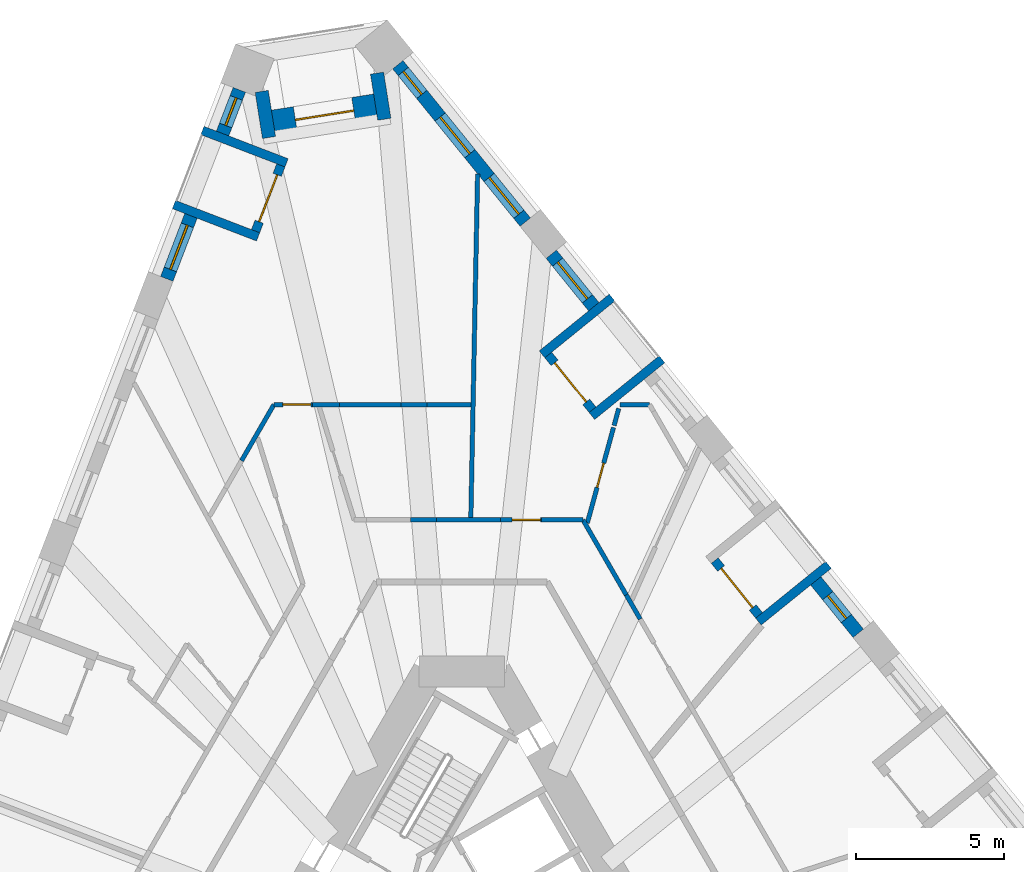
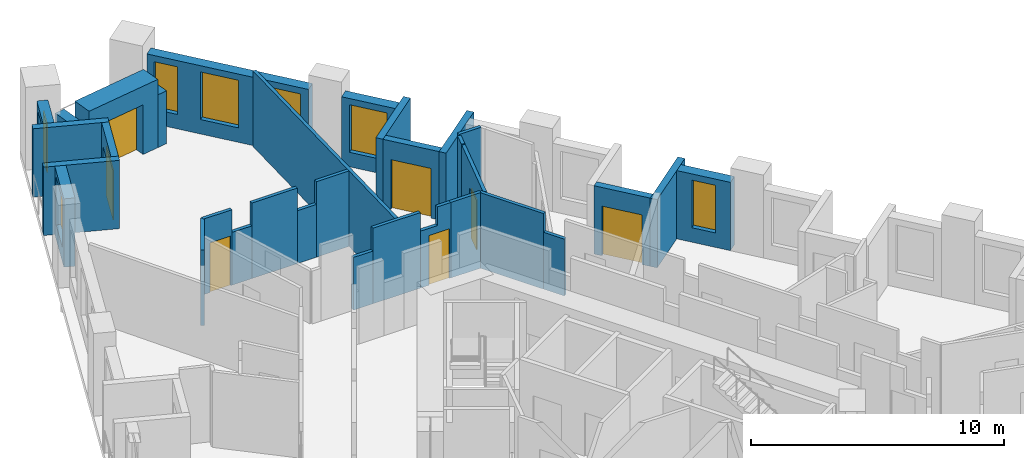
# One storey, part 9 of 14: 32 walls, 7 doors, 7 windows, 14 openings.
"""IFC4 building model written with IfcOpenShell, lengths in metres."""

from ifc_helpers import new_model, si_unit, direction, frame, frame_2d, origin, place, context, subcontext, project, spatial, polyline, rectangle, outline, extrude, material, layer, layer_set, type_object, element, fill, save


model = new_model("IFC4")

# Units and contexts
model_context = context("Model", 3, precision=1e-05, world=origin(), true_north=direction((0.0, 1.0)))
body_context = subcontext(model_context, "Body", "Model", "MODEL_VIEW")
ifc_project = project(units=[si_unit("LENGTHUNIT", "METRE"), si_unit("AREAUNIT", "SQUARE_METRE"), si_unit("VOLUMEUNIT", "CUBIC_METRE"), si_unit("PLANEANGLEUNIT", "RADIAN"), si_unit("MASSUNIT", "GRAM", prefix="KILO")], contexts=[model_context])

# Site, building, storey
site_placement = place(None, origin())
site = spatial("IfcSite", under=ifc_project, at=site_placement, CompositionType="ELEMENT")
building_placement = place(site_placement, origin())
building = spatial("IfcBuilding", under=site, at=building_placement, Name="Tramontana Tower", CompositionType="ELEMENT")
storey_placement = place(building_placement, frame((0.0, 0.0, 67.199951171875)))
storey = spatial("IfcBuildingStorey", under=building, at=storey_placement, Name="L14", CompositionType="ELEMENT", Elevation=67.199951171875)

# Wall, opening, window
ifc_material_1 = material(Name="Precast concrete 60 MPa", Category="concrete")
ifc_layer_1 = layer(ifc_material_1, 0.449951171875)
ifc_layer_set_1 = layer_set([ifc_layer_1], Name="Precast concrete 60 MPa, 450 mm")
wall_type_1 = type_object("IfcWallType", Name="EW1 Stone-faced precast wall 450", PredefinedType="SOLIDWALL", material=ifc_layer_set_1)
wall_1_placement = place(storey_placement, frame((-7.521728515625, 30.14453125, 0.0), z_axis=(0.0, 0.0, 1.0), x_axis=(-0.358431261356, -0.933556120907, 0.0)))
wall_1 = element("IfcWall", 1, at=wall_1_placement, inside=storey, type_object=wall_type_1, Name="External wall L14 face 0 bay 1", PredefinedType="SOLIDWALL", context=body_context, shape_type="SweptSolid", body=[
    extrude(rectangle(XDim=1.5830078125, YDim=0.449951171875, at=frame_2d((0.79150390625, 0.0))), origin(), (0.0, 0.0, 1.0), 3.300048828125),
])
opening_1_placement = place(wall_1_placement, frame((0.29150390625, 0.0, 0.699951171875)))
opening_1 = element("IfcOpeningElement", 2, at=opening_1_placement, cuts=wall_1, Name="Opening N1", PredefinedType="OPENING", context=body_context, shape_type="SweptSolid", body=[
    extrude(rectangle(XDim=1.0, YDim=2.300048828125, at=frame_2d((0.5, 1.14990234375))), frame((0.0, 0.23486328125, 0.0), z_axis=(0.0, -1.0, 0.0), x_axis=(1.0, 0.0, 0.0)), (0.0, 0.0, 1.0), 0.469970703125),
])
ifc_material_2 = material(Name="Aluminum frame, double glazing unit", Category="aluminium")
window_type_1 = type_object("IfcWindowType", Name="N1 Window 1 x 2.3", PartitioningType="SINGLE_PANEL", PredefinedType="WINDOW", material=ifc_material_2)
window_1_placement = place(opening_1_placement, origin())
window_1 = element("IfcWindow", 3, at=window_1_placement, inside=storey, type_object=window_type_1, Name="Window N1 L14 face 0 module 1", OverallHeight=2.300048828125, OverallWidth=1.0, PartitioningType="SINGLE_PANEL", PredefinedType="WINDOW", context=body_context, shape_type="SweptSolid", body=[
    extrude(rectangle(XDim=1.0, YDim=2.300048828125, at=frame_2d((0.5, 1.14990234375))), frame((0.0, 0.030029296875, 0.0), z_axis=(0.0, -1.0, 0.0), x_axis=(1.0, 0.0, 0.0)), (0.0, 0.0, 1.0), 0.06005859375),
])
fill(opening_1, window_1)

wall_2_placement = place(storey_placement, frame((-9.157958984375, 25.8818359375, 0.0), z_axis=(0.0, 0.0, 1.0), x_axis=(-0.358355550725, -0.933585185864, 0.0)))
wall_2 = element("IfcWall", 4, at=wall_2_placement, inside=storey, type_object=wall_type_1, Name="External wall L14 face 0 bay 1", PredefinedType="SOLIDWALL", context=body_context, shape_type="SweptSolid", body=[
    extrude(rectangle(XDim=2.282958984375, YDim=0.449951171875, at=frame_2d((1.1416015625, 0.0))), origin(), (0.0, 0.0, 1.0), 3.300048828125),
])
opening_2_placement = place(wall_2_placement, frame((0.341552734375, 0.0, 0.699951171875)))
opening_2 = element("IfcOpeningElement", 5, at=opening_2_placement, cuts=wall_2, Name="Opening M1", PredefinedType="OPENING", context=body_context, shape_type="SweptSolid", body=[
    extrude(rectangle(XDim=1.60009765625, YDim=2.300048828125, at=frame_2d((0.800048828125, 1.14990234375))), frame((0.0, 0.23486328125, 0.0), z_axis=(0.0, -1.0, 0.0), x_axis=(1.0, 0.0, 0.0)), (0.0, 0.0, 1.0), 0.469970703125),
])
ifc_material_3 = material(Name="Aluminum frame, double glazing unit", Category="aluminium")
window_type_2 = type_object("IfcWindowType", Name="M1 Window 1.6 x 2.3", PartitioningType="SINGLE_PANEL", PredefinedType="WINDOW", material=ifc_material_3)
window_2_placement = place(opening_2_placement, origin())
window_2 = element("IfcWindow", 6, at=window_2_placement, inside=storey, type_object=window_type_2, Name="Window M1 L14 face 0 module 3", OverallHeight=2.300048828125, OverallWidth=1.60009765625, PartitioningType="SINGLE_PANEL", PredefinedType="WINDOW", context=body_context, shape_type="SweptSolid", body=[
    extrude(rectangle(XDim=1.60009765625, YDim=2.300048828125, at=frame_2d((0.800048828125, 1.14990234375))), frame((0.0, 0.030029296875, 0.0), z_axis=(0.0, -1.0, 0.0), x_axis=(1.0, 0.0, 0.0)), (0.0, 0.0, 1.0), 0.06005859375),
])
fill(opening_2, window_2)

wall_3_placement = place(storey_placement, frame((13.412109375, 11.76171875, 0.0), z_axis=(0.0, 0.0, 1.0), x_axis=(-0.629339730135, 0.777130300576, 0.0)))
wall_3 = element("IfcWall", 7, at=wall_3_placement, inside=storey, type_object=wall_type_1, Name="External wall L14 face 2 bay 4", PredefinedType="SOLIDWALL", context=body_context, shape_type="SweptSolid", body=[
    extrude(rectangle(XDim=2.282958984375, YDim=0.449951171875, at=frame_2d((1.1416015625, 0.0))), origin(), (0.0, 0.0, 1.0), 3.300048828125),
])
opening_3_placement = place(wall_3_placement, frame((0.6416015625, 0.0, 0.699951171875)))
opening_3 = element("IfcOpeningElement", 8, at=opening_3_placement, cuts=wall_3, Name="Opening N1", PredefinedType="OPENING", context=body_context, shape_type="SweptSolid", body=[
    extrude(rectangle(XDim=1.0, YDim=2.300048828125, at=frame_2d((0.5, 1.14990234375))), frame((0.0, 0.23486328125, 0.0), z_axis=(0.0, -1.0, 0.0), x_axis=(1.0, 0.0, 0.0)), (0.0, 0.0, 1.0), 0.469970703125),
])
window_3_placement = place(opening_3_placement, origin())
window_3 = element("IfcWindow", 9, at=window_3_placement, inside=storey, type_object=window_type_1, Name="Window N1 L14 face 2 module 10", OverallHeight=2.300048828125, OverallWidth=1.0, PartitioningType="SINGLE_PANEL", PredefinedType="WINDOW", context=body_context, shape_type="SweptSolid", body=[
    extrude(rectangle(XDim=1.0, YDim=2.300048828125, at=frame_2d((0.5, 1.14990234375))), frame((0.0, 0.030029296875, 0.0), z_axis=(0.0, -1.0, 0.0), x_axis=(1.0, 0.0, 0.0)), (0.0, 0.0, 1.0), 0.06005859375),
])
fill(opening_3, window_3)

wall_4_placement = place(storey_placement, frame((4.46630859375, 22.80859375, 0.0), z_axis=(0.0, 0.0, 1.0), x_axis=(-0.629275139402, 0.777182603337, 0.0)))
wall_4 = element("IfcWall", 10, at=wall_4_placement, inside=storey, type_object=wall_type_1, Name="External wall L14 face 2 bay 5", PredefinedType="SOLIDWALL", context=body_context, shape_type="SweptSolid", body=[
    extrude(rectangle(XDim=2.28271484375, YDim=0.449951171875, at=frame_2d((1.141357421875, 0.0))), origin(), (0.0, 0.0, 1.0), 3.300048828125),
])
opening_4_placement = place(wall_4_placement, frame((0.341552734375, 0.0, 0.699951171875)))
opening_4 = element("IfcOpeningElement", 11, at=opening_4_placement, cuts=wall_4, Name="Opening M1", PredefinedType="OPENING", context=body_context, shape_type="SweptSolid", body=[
    extrude(rectangle(XDim=1.60009765625, YDim=2.300048828125, at=frame_2d((0.800048828125, 1.14990234375))), frame((0.0, 0.23486328125, 0.0), z_axis=(0.0, -1.0, 0.0), x_axis=(1.0, 0.0, 0.0)), (0.0, 0.0, 1.0), 0.469970703125),
])
window_4_placement = place(opening_4_placement, origin())
window_4 = element("IfcWindow", 12, at=window_4_placement, inside=storey, type_object=window_type_2, Name="Window M1 L14 face 2 module 15", OverallHeight=2.300048828125, OverallWidth=1.60009765625, PartitioningType="SINGLE_PANEL", PredefinedType="WINDOW", context=body_context, shape_type="SweptSolid", body=[
    extrude(rectangle(XDim=1.60009765625, YDim=2.300048828125, at=frame_2d((0.800048828125, 1.14990234375))), frame((0.0, 0.030029296875, 0.0), z_axis=(0.0, -1.0, 0.0), x_axis=(1.0, 0.0, 0.0)), (0.0, 0.0, 1.0), 0.06005859375),
])
fill(opening_4, window_4)

# Wall, openings, windows
wall_5_placement = place(storey_placement, frame((2.148681640625, 25.6708984375, 0.0), z_axis=(0.0, 0.0, 1.0), x_axis=(-0.629339730135, 0.777130300576, 0.0)))
wall_5 = element("IfcWall", 13, at=wall_5_placement, inside=storey, type_object=wall_type_1, Name="External wall L14 face 2 bay 6", PredefinedType="SOLIDWALL", context=body_context, shape_type="SweptSolid", body=[
    extrude(rectangle(XDim=6.848876953125, YDim=0.449951171875, at=frame_2d((3.42431640625, 0.0))), origin(), (0.0, 0.0, 1.0), 3.300048828125),
])
opening_5_placement = place(wall_5_placement, frame((0.341552734375, 0.0, 0.699951171875)))
opening_5 = element("IfcOpeningElement", 14, at=opening_5_placement, cuts=wall_5, Name="Opening M1", PredefinedType="OPENING", context=body_context, shape_type="SweptSolid", body=[
    extrude(rectangle(XDim=1.60009765625, YDim=2.300048828125, at=frame_2d((0.800048828125, 1.14990234375))), frame((0.0, 0.23486328125, 0.0), z_axis=(0.0, -1.0, 0.0), x_axis=(1.0, 0.0, 0.0)), (0.0, 0.0, 1.0), 0.469970703125),
])
opening_6_placement = place(wall_5_placement, frame((2.974365234375, 0.0, 0.699951171875)))
opening_6 = element("IfcOpeningElement", 15, at=opening_6_placement, cuts=wall_5, Name="Opening M1", PredefinedType="OPENING", context=body_context, shape_type="SweptSolid", body=[
    extrude(rectangle(XDim=1.60009765625, YDim=2.300048828125, at=frame_2d((0.800048828125, 1.14990234375))), frame((0.0, 0.23486328125, 0.0), z_axis=(0.0, -1.0, 0.0), x_axis=(1.0, 0.0, 0.0)), (0.0, 0.0, 1.0), 0.469970703125),
])
opening_7_placement = place(wall_5_placement, frame((5.557373046875, 0.0, 0.699951171875)))
opening_7 = element("IfcOpeningElement", 16, at=opening_7_placement, cuts=wall_5, Name="Opening N1", PredefinedType="OPENING", context=body_context, shape_type="SweptSolid", body=[
    extrude(rectangle(XDim=1.0, YDim=2.300048828125, at=frame_2d((0.5, 1.14990234375))), frame((0.0, 0.23486328125, 0.0), z_axis=(0.0, -1.0, 0.0), x_axis=(1.0, 0.0, 0.0)), (0.0, 0.0, 1.0), 0.469970703125),
])
window_5_placement = place(opening_5_placement, origin())
window_5 = element("IfcWindow", 17, at=window_5_placement, inside=storey, type_object=window_type_2, Name="Window M1 L14 face 2 module 16", OverallHeight=2.300048828125, OverallWidth=1.60009765625, PartitioningType="SINGLE_PANEL", PredefinedType="WINDOW", context=body_context, shape_type="SweptSolid", body=[
    extrude(rectangle(XDim=1.60009765625, YDim=2.300048828125, at=frame_2d((0.800048828125, 1.14990234375))), frame((0.0, 0.030029296875, 0.0), z_axis=(0.0, -1.0, 0.0), x_axis=(1.0, 0.0, 0.0)), (0.0, 0.0, 1.0), 0.06005859375),
])
fill(opening_5, window_5)
window_6_placement = place(opening_6_placement, origin())
window_6 = element("IfcWindow", 18, at=window_6_placement, inside=storey, type_object=window_type_2, Name="Window M1 L14 face 2 module 17", OverallHeight=2.300048828125, OverallWidth=1.60009765625, PartitioningType="SINGLE_PANEL", PredefinedType="WINDOW", context=body_context, shape_type="SweptSolid", body=[
    extrude(rectangle(XDim=1.60009765625, YDim=2.300048828125, at=frame_2d((0.800048828125, 1.14990234375))), frame((0.0, 0.030029296875, 0.0), z_axis=(0.0, -1.0, 0.0), x_axis=(1.0, 0.0, 0.0)), (0.0, 0.0, 1.0), 0.06005859375),
])
fill(opening_6, window_6)
window_7_placement = place(opening_7_placement, origin())
window_7 = element("IfcWindow", 19, at=window_7_placement, inside=storey, type_object=window_type_1, Name="Window N1 L14 face 2 module 18", OverallHeight=2.300048828125, OverallWidth=1.0, PartitioningType="SINGLE_PANEL", PredefinedType="WINDOW", context=body_context, shape_type="SweptSolid", body=[
    extrude(rectangle(XDim=1.0, YDim=2.300048828125, at=frame_2d((0.5, 1.14990234375))), frame((0.0, 0.030029296875, 0.0), z_axis=(0.0, -1.0, 0.0), x_axis=(1.0, 0.0, 0.0)), (0.0, 0.0, 1.0), 0.06005859375),
])
fill(opening_7, window_7)

# Walls
for number, where, z_axis, x_axis, name in (
    (20, (-6.765625, 30.09130859375, 0.0), (0.0, 0.0, 1.0), (0.156446802793, -0.987686386408, 0.0), "Corner loggia side wall L14 K10l"),
    (21, (-2.8642578125, 30.709228515625, 0.0), (0.0, 0.0, 1.0), (0.156446802793, -0.987686386408, 0.0), "Corner loggia side wall L14 K10r"),
):
    element("IfcWall", number, at=place(storey_placement, frame(where, z_axis=z_axis, x_axis=x_axis)), inside=storey, type_object=wall_type_1, Name=name, PredefinedType="SOLIDWALL", context=body_context, shape_type="SweptSolid", body=[
        extrude(rectangle(XDim=1.579345703125, YDim=0.449951171875, at=frame_2d((0.78955078125, 0.0))), origin(), (0.0, 0.0, 1.0), 2.550048828125),
    ])

# Wall, opening, door
ifc_material_4 = material(Name="Precast concrete 60 MPa", Category="concrete")
ifc_layer_2 = layer(ifc_material_4, 0.89990234375)
ifc_layer_set_2 = layer_set([ifc_layer_2], Name="EW2 Stone-faced corner loggia wall 900")
wall_type_2 = type_object("IfcWallType", Name="EW2 Stone-faced corner loggia wall 900", PredefinedType="SOLIDWALL", material=ifc_layer_set_2)
wall_6_placement = place(storey_placement, frame((-6.36669921875, 29.01123046875, 0.0), z_axis=(0.0, 0.0, 1.0), x_axis=(0.987683654859, 0.156464046744, 0.0)))
wall_6 = element("IfcWall", 22, at=wall_6_placement, inside=storey, type_object=wall_type_2, Name="Corner loggia wall L14 K10", PredefinedType="SOLIDWALL", context=body_context, shape_type="SweptSolid", body=[
    extrude(rectangle(XDim=3.5, YDim=0.89990234375, at=frame_2d((1.75, 0.0))), origin(), (0.0, 0.0, 1.0), 3.300048828125),
])
opening_8_placement = place(wall_6_placement, frame((0.75, 0.0, 0.0)))
opening_8 = element("IfcOpeningElement", 23, at=opening_8_placement, cuts=wall_6, Name="Opening BD-10C", PredefinedType="OPENING", context=body_context, shape_type="SweptSolid", body=[
    extrude(rectangle(XDim=2.0, YDim=2.39990234375, at=frame_2d((1.0, 1.199951171875))), frame((0.0, 0.4599609375, 0.0), z_axis=(0.0, -1.0, 0.0), x_axis=(1.0, 0.0, 0.0)), (0.0, 0.0, 1.0), 0.919921875),
])
ifc_material_5 = material(Name="Aluminum frame, double glazing unit", Category="aluminium")
door_type_1 = type_object("IfcDoorType", Name="BC1 Sliding door 2 x 2.4", OperationType="SLIDING_TO_LEFT", PredefinedType="DOOR", material=ifc_material_5)
door_1_placement = place(opening_8_placement, origin())
door_1 = element("IfcDoor", 24, at=door_1_placement, inside=storey, type_object=door_type_1, Name="Corner loggia door L14 K10", OperationType="SLIDING_TO_LEFT", OverallHeight=2.39990234375, OverallWidth=2.0, PredefinedType="DOOR", context=body_context, shape_type="SweptSolid", body=[
    extrude(rectangle(XDim=2.0, YDim=2.39990234375, at=frame_2d((1.0, 1.199951171875))), frame((0.0, 0.02490234375, 0.0), z_axis=(0.0, -1.0, 0.0), x_axis=(1.0, 0.0, 0.0)), (0.0, 0.0, 1.0), 0.050048828125),
])
fill(opening_8, door_1)

ifc_material_6 = material(Name="Precast concrete 60 MPa", Category="concrete")
ifc_layer_3 = layer(ifc_material_6, 0.300048828125)
ifc_layer_set_3 = layer_set([ifc_layer_3], Name="LW1 Stone-faced loggia wall 300")
wall_type_3 = type_object("IfcWallType", Name="LW1 Stone-faced loggia wall 300", PredefinedType="SOLIDWALL", material=ifc_layer_set_3)
wall_7_placement = place(storey_placement, frame((-6.119384765625, 27.58935546875, 0.0), z_axis=(0.0, 0.0, 1.0), x_axis=(-0.358354292693, -0.933585668757, 0.0)))
wall_7 = element("IfcWall", 25, at=wall_7_placement, inside=storey, type_object=wall_type_3, Name="Loggia wall L14 G1S0.1", PredefinedType="SOLIDWALL", context=body_context, shape_type="SweptSolid", body=[
    extrude(rectangle(XDim=2.383056640625, YDim=0.300048828125, at=frame_2d((1.19140625, 0.0))), origin(), (0.0, 0.0, 1.0), 3.300048828125),
])
opening_9_placement = place(wall_7_placement, frame((0.341552734375, 0.0, 0.0)))
opening_9 = element("IfcOpeningElement", 26, at=opening_9_placement, cuts=wall_7, Name="Opening BD-1S0-01", PredefinedType="OPENING", context=body_context, shape_type="SweptSolid", body=[
    extrude(rectangle(XDim=1.699951171875, YDim=2.39990234375, at=frame_2d((0.85009765625, 1.199951171875))), frame((0.0, 0.159912109375, 0.0), z_axis=(0.0, -1.0, 0.0), x_axis=(1.0, 0.0, 0.0)), (0.0, 0.0, 1.0), 0.320068359375),
])
ifc_material_7 = material(Name="Aluminum frame, double glazing unit", Category="aluminium")
door_type_2 = type_object("IfcDoorType", Name="BD1 Sliding door 1.7 x 2.4", OperationType="SLIDING_TO_LEFT", PredefinedType="DOOR", material=ifc_material_7)
door_2_placement = place(opening_9_placement, origin())
door_2 = element("IfcDoor", 27, at=door_2_placement, inside=storey, type_object=door_type_2, Name="Loggia door L14 G1S0.1", OperationType="SLIDING_TO_LEFT", OverallHeight=2.39990234375, OverallWidth=1.699951171875, PredefinedType="DOOR", context=body_context, shape_type="SweptSolid", body=[
    extrude(rectangle(XDim=1.699951171875, YDim=2.39990234375, at=frame_2d((0.85009765625, 1.199951171875))), frame((0.0, 0.02490234375, 0.0), z_axis=(0.0, -1.0, 0.0), x_axis=(1.0, 0.0, 0.0)), (0.0, 0.0, 1.0), 0.050048828125),
])
fill(opening_9, door_2)

# Walls
for number, where, z_axis, x_axis, name in (
    (28, (-8.77294921875, 28.7685546875, 0.0), (0.0, 0.0, 1.0), (0.933580593625, -0.358367514161, 0.0), "Loggia return L14 G1S0.1a"),
    (29, (-9.734375, 26.263671875, 0.0), (0.0, 0.0, 1.0), (0.933580593625, -0.358367514161, 0.0), "Loggia return L14 G1S0.1b"),
):
    element("IfcWall", number, at=place(storey_placement, frame(where, z_axis=z_axis, x_axis=x_axis)), inside=storey, type_object=wall_type_3, Name=name, PredefinedType="SOLIDWALL", context=body_context, shape_type="SweptSolid", body=[
        extrude(rectangle(XDim=3.050048828125, YDim=0.300048828125, at=frame_2d((1.52490234375, 0.0))), origin(), (0.0, 0.0, 1.0), 3.300048828125),
    ])

# Wall, opening, door
wall_8_placement = place(storey_placement, frame((10.057373046875, 12.36865234375, 0.0), z_axis=(0.0, 0.0, 1.0), x_axis=(-0.629257171563, 0.777197151331, 0.0)))
wall_8 = element("IfcWall", 30, at=wall_8_placement, inside=storey, type_object=wall_type_3, Name="Loggia wall L14 G1S2.10", PredefinedType="SOLIDWALL", context=body_context, shape_type="SweptSolid", body=[
    extrude(rectangle(XDim=2.383056640625, YDim=0.300048828125, at=frame_2d((1.19140625, 0.0))), origin(), (0.0, 0.0, 1.0), 3.300048828125),
])
opening_10_placement = place(wall_8_placement, frame((0.341552734375, 0.0, 0.0)))
opening_10 = element("IfcOpeningElement", 31, at=opening_10_placement, cuts=wall_8, Name="Opening BD-1S2-10", PredefinedType="OPENING", context=body_context, shape_type="SweptSolid", body=[
    extrude(rectangle(XDim=1.699951171875, YDim=2.39990234375, at=frame_2d((0.85009765625, 1.199951171875))), frame((0.0, 0.159912109375, 0.0), z_axis=(0.0, -1.0, 0.0), x_axis=(1.0, 0.0, 0.0)), (0.0, 0.0, 1.0), 0.320068359375),
])
door_3_placement = place(opening_10_placement, origin())
door_3 = element("IfcDoor", 32, at=door_3_placement, inside=storey, type_object=door_type_2, Name="Loggia door L14 G1S2.10", OperationType="SLIDING_TO_LEFT", OverallHeight=2.39990234375, OverallWidth=1.699951171875, PredefinedType="DOOR", context=body_context, shape_type="SweptSolid", body=[
    extrude(rectangle(XDim=1.699951171875, YDim=2.39990234375, at=frame_2d((0.85009765625, 1.199951171875))), frame((0.0, 0.02490234375, 0.0), z_axis=(0.0, -1.0, 0.0), x_axis=(1.0, 0.0, 0.0)), (0.0, 0.0, 1.0), 0.050048828125),
])
fill(opening_10, door_3)

# Wall
wall_9_placement = place(storey_placement, frame((12.405517578125, 14.0771484375, 0.0), z_axis=(0.0, 0.0, 1.0), x_axis=(-0.777153523895, -0.629311052102, 0.0)))
element("IfcWall", 33, at=wall_9_placement, inside=storey, type_object=wall_type_3, Name="Loggia return L14 G1S2.10a", PredefinedType="SOLIDWALL", context=body_context, shape_type="SweptSolid", body=[
    extrude(rectangle(XDim=3.050048828125, YDim=0.300048828125, at=frame_2d((1.52490234375, 0.0))), origin(), (0.0, 0.0, 1.0), 3.300048828125),
])

# Wall, opening, door
wall_10_placement = place(storey_placement, frame((4.42578125, 19.323486328125, 0.0), z_axis=(0.0, 0.0, 1.0), x_axis=(-0.629369155682, 0.777106470103, 0.0)))
wall_10 = element("IfcWall", 34, at=wall_10_placement, inside=storey, type_object=wall_type_3, Name="Loggia wall L14 G1S2.13", PredefinedType="SOLIDWALL", context=body_context, shape_type="SweptSolid", body=[
    extrude(rectangle(XDim=2.383056640625, YDim=0.300048828125, at=frame_2d((1.19140625, 0.0))), origin(), (0.0, 0.0, 1.0), 3.300048828125),
])
opening_11_placement = place(wall_10_placement, frame((0.341552734375, 0.0, 0.0)))
opening_11 = element("IfcOpeningElement", 35, at=opening_11_placement, cuts=wall_10, Name="Opening BD-1S2-13", PredefinedType="OPENING", context=body_context, shape_type="SweptSolid", body=[
    extrude(rectangle(XDim=1.699951171875, YDim=2.39990234375, at=frame_2d((0.85009765625, 1.199951171875))), frame((0.0, 0.159912109375, 0.0), z_axis=(0.0, -1.0, 0.0), x_axis=(1.0, 0.0, 0.0)), (0.0, 0.0, 1.0), 0.320068359375),
])
door_4_placement = place(opening_11_placement, origin())
door_4 = element("IfcDoor", 36, at=door_4_placement, inside=storey, type_object=door_type_2, Name="Loggia door L14 G1S2.13", OperationType="SLIDING_TO_LEFT", OverallHeight=2.39990234375, OverallWidth=1.699951171875, PredefinedType="DOOR", context=body_context, shape_type="SweptSolid", body=[
    extrude(rectangle(XDim=1.699951171875, YDim=2.39990234375, at=frame_2d((0.85009765625, 1.199951171875))), frame((0.0, 0.02490234375, 0.0), z_axis=(0.0, -1.0, 0.0), x_axis=(1.0, 0.0, 0.0)), (0.0, 0.0, 1.0), 0.050048828125),
])
fill(opening_11, door_4)

# Walls
for number, where, z_axis, x_axis, name in (
    (37, (6.77392578125, 21.03173828125, 0.0), (0.0, 0.0, 1.0), (-0.777153523895, -0.629311052102, 0.0), "Loggia return L14 G1S2.13a"),
    (38, (5.08544921875, 23.116943359375, 0.0), (0.0, 0.0, 1.0), (-0.777153523895, -0.629311052102, 0.0), "Loggia return L14 G1S2.13b"),
):
    element("IfcWall", number, at=place(storey_placement, frame(where, z_axis=z_axis, x_axis=x_axis)), inside=storey, type_object=wall_type_3, Name=name, PredefinedType="SOLIDWALL", context=body_context, shape_type="SweptSolid", body=[
        extrude(rectangle(XDim=3.050048828125, YDim=0.300048828125, at=frame_2d((1.52490234375, 0.0))), origin(), (0.0, 0.0, 1.0), 3.300048828125),
    ])
ifc_material_8 = material(Name="Gypsum board partition")
ifc_layer_4 = layer(ifc_material_8, 0.14990234375)
ifc_layer_set_4 = layer_set([ifc_layer_4], Name="PARTITION 150")
wall_type_4 = type_object("IfcWallType", Name="PARTITION 150", PredefinedType="PARTITIONING", material=ifc_layer_set_4)
wall_11_placement = place(storey_placement, frame((-7.446533203125, 17.60205078125, 0.0), z_axis=(0.0, 0.0, 1.0), x_axis=(0.499973180286, 0.8660408876, 0.0)))
element("IfcWall", 39, at=wall_11_placement, inside=storey, type_object=wall_type_4, Name="Wall v11-pw22-2", PredefinedType="PARTITIONING", context=body_context, shape_type="SweptSolid", body=[
    extrude(rectangle(XDim=2.19140625, YDim=0.14990234375, at=frame_2d((1.095703125, 0.0))), origin(), (0.0, 0.0, 1.0), 3.650146484375),
])

# Wall, opening, door
wall_12_placement = place(storey_placement, frame((-6.350830078125, 19.5, 0.0), z_axis=(0.0, 0.0, 1.0), x_axis=(1.0, 0.0, 0.0)))
wall_12 = element("IfcWall", 40, at=wall_12_placement, inside=storey, type_object=wall_type_4, Name="Wall v11-pw25-0", PredefinedType="PARTITIONING", context=body_context, shape_type="SweptSolid", body=[
    extrude(rectangle(XDim=1.311279296875, YDim=0.14990234375, at=frame_2d((0.65576171875, 0.0))), origin(), (0.0, 0.0, 1.0), 3.650146484375),
])
opening_12_placement = place(wall_12_placement, frame((0.298095703125, 0.0, 0.0)))
opening_12 = element("IfcOpeningElement", 41, at=opening_12_placement, cuts=wall_12, Name="Opening B1B-03", PredefinedType="OPENING", context=body_context, shape_type="SweptSolid", body=[
    extrude(rectangle(XDim=0.949951171875, YDim=2.39990234375, at=frame_2d((0.47509765625, 1.199951171875))), frame((0.0, 0.0849609375, 0.0), z_axis=(0.0, -1.0, 0.0), x_axis=(1.0, 0.0, 0.0)), (0.0, 0.0, 1.0), 0.169921875),
])
ifc_material_9 = material(Name="Painted timber", Category="wood")
door_type_3 = type_object("IfcDoorType", Name="DOOR ROOM 950", OperationType="SINGLE_SWING_LEFT", PredefinedType="DOOR", material=ifc_material_9)
door_5_placement = place(opening_12_placement, origin())
door_5 = element("IfcDoor", 42, at=door_5_placement, inside=storey, type_object=door_type_3, Name="Door B1B-03", OperationType="SINGLE_SWING_LEFT", OverallHeight=2.39990234375, OverallWidth=0.949951171875, PredefinedType="DOOR", context=body_context, shape_type="SweptSolid", body=[
    extrude(rectangle(XDim=0.949951171875, YDim=2.39990234375, at=frame_2d((0.47509765625, 1.199951171875))), frame((0.0, 0.02490234375, 0.0), z_axis=(0.0, -1.0, 0.0), x_axis=(1.0, 0.0, 0.0)), (0.0, 0.0, 1.0), 0.050048828125),
])
fill(opening_12, door_5)

# Walls
wall_13_placement = place(storey_placement, frame((-5.03955078125, 19.5, 0.0), z_axis=(0.0, 0.0, 1.0), x_axis=(1.0, 0.0, 0.0)))
element("IfcWall", 43, at=wall_13_placement, inside=storey, type_object=wall_type_4, Name="Wall v11-pw25-1", PredefinedType="PARTITIONING", context=body_context, shape_type="SweptSolid", body=[
    extrude(rectangle(XDim=0.89892578125, YDim=0.14990234375, at=frame_2d((0.449462890625, 0.0))), origin(), (0.0, 0.0, 1.0), 2.550048828125),
])
wall_14_placement = place(storey_placement, frame((-4.140625, 19.5, 0.0), z_axis=(0.0, 0.0, 1.0), x_axis=(1.0, 0.0, 0.0)))
element("IfcWall", 44, at=wall_14_placement, inside=storey, type_object=wall_type_4, Name="Wall v11-pw25-2", PredefinedType="PARTITIONING", context=body_context, shape_type="SweptSolid", body=[
    extrude(rectangle(XDim=2.079833984375, YDim=0.14990234375, at=frame_2d((1.0400390625, 0.0))), origin(), (0.0, 0.0, 1.0), 3.650146484375),
])
wall_15_placement = place(storey_placement, frame((-2.060791015625, 19.5, 0.0), z_axis=(0.0, 0.0, 1.0), x_axis=(1.0, 0.0, 0.0)))
element("IfcWall", 45, at=wall_15_placement, inside=storey, type_object=wall_type_4, Name="Wall v11-pw25-3", PredefinedType="PARTITIONING", context=body_context, shape_type="SweptSolid", body=[
    extrude(rectangle(XDim=0.878173828125, YDim=0.14990234375, at=frame_2d((0.43896484375, 0.0))), origin(), (0.0, 0.0, 1.0), 2.550048828125),
])
wall_16_placement = place(storey_placement, frame((-1.1826171875, 19.5, 0.0), z_axis=(0.0, 0.0, 1.0), x_axis=(1.0, 0.0, 0.0)))
element("IfcWall", 46, at=wall_16_placement, inside=storey, type_object=wall_type_4, Name="Wall v11-pw25-4", PredefinedType="PARTITIONING", context=body_context, shape_type="SweptSolid", body=[
    extrude(rectangle(XDim=1.4912109375, YDim=0.14990234375, at=frame_2d((0.74560546875, 0.0))), origin(), (0.0, 0.0, 1.0), 3.650146484375),
])
wall_17_placement = place(storey_placement, frame((-1.736328125, 15.60009765625, 0.0), z_axis=(0.0, 0.0, 1.0), x_axis=(1.0, 0.0, 0.0)))
element("IfcWall", 47, at=wall_17_placement, inside=storey, type_object=wall_type_4, Name="Wall v11-pw28-2", PredefinedType="PARTITIONING", context=body_context, shape_type="SweptSolid", body=[
    extrude(rectangle(XDim=0.8779296875, YDim=0.14990234375, at=frame_2d((0.43896484375, 0.0))), origin(), (0.0, 0.0, 1.0), 2.550048828125),
])
wall_18_placement = place(storey_placement, frame((-0.8583984375, 15.60009765625, 0.0), z_axis=(0.0, 0.0, 1.0), x_axis=(1.0, 0.0, 0.0)))
element("IfcWall", 48, at=wall_18_placement, inside=storey, type_object=wall_type_4, Name="Wall v11-pw28-3", PredefinedType="PARTITIONING", context=body_context, shape_type="SweptSolid", body=[
    extrude(rectangle(XDim=2.175048828125, YDim=0.14990234375, at=frame_2d((1.08740234375, 0.0))), origin(), (0.0, 0.0, 1.0), 3.650146484375),
])

# Wall, opening, door
wall_19_placement = place(storey_placement, frame((1.316650390625, 15.60009765625, 0.0), z_axis=(0.0, 0.0, 1.0), x_axis=(1.0, 0.0, 0.0)))
wall_19 = element("IfcWall", 49, at=wall_19_placement, inside=storey, type_object=wall_type_4, Name="Wall v11-pw28-4", PredefinedType="PARTITIONING", context=body_context, shape_type="SweptSolid", body=[
    extrude(outline(polyline([(0.0, 0.0), (1.389892578125, 0.0), (1.389892578125, 3.650146484375), (0.779541015625, 3.650146484375), (0.779541015625, 2.75), (0.0, 2.75), (0.0, 0.0)])), frame((0.0, 0.074951171875, 0.0), z_axis=(0.0, -1.0, 0.0), x_axis=(1.0, 0.0, 0.0)), (0.0, 0.0, 1.0), 0.14990234375),
])
opening_13_placement = place(wall_19_placement, frame((0.389892578125, 0.0, 0.0)))
opening_13 = element("IfcOpeningElement", 50, at=opening_13_placement, cuts=wall_19, Name="Opening B1B-04", PredefinedType="OPENING", context=body_context, shape_type="SweptSolid", body=[
    extrude(rectangle(XDim=0.949951171875, YDim=2.39990234375, at=frame_2d((0.47509765625, 1.199951171875))), frame((0.0, 0.0849609375, 0.0), z_axis=(0.0, -1.0, 0.0), x_axis=(1.0, 0.0, 0.0)), (0.0, 0.0, 1.0), 0.169921875),
])
door_6_placement = place(opening_13_placement, origin())
door_6 = element("IfcDoor", 51, at=door_6_placement, inside=storey, type_object=door_type_3, Name="Door B1B-04", OperationType="SINGLE_SWING_RIGHT", OverallHeight=2.39990234375, OverallWidth=0.949951171875, PredefinedType="DOOR", context=body_context, shape_type="SweptSolid", body=[
    extrude(rectangle(XDim=0.949951171875, YDim=2.39990234375, at=frame_2d((0.47509765625, 1.199951171875))), frame((0.0, 0.02490234375, 0.0), z_axis=(0.0, -1.0, 0.0), x_axis=(1.0, 0.0, 0.0)), (0.0, 0.0, 1.0), 0.050048828125),
])
fill(opening_13, door_6)

# Walls
wall_20_placement = place(storey_placement, frame((2.70654296875, 15.60009765625, 0.0), z_axis=(0.0, 0.0, 1.0), x_axis=(1.0, 0.0, 0.0)))
element("IfcWall", 52, at=wall_20_placement, inside=storey, type_object=wall_type_4, Name="Wall v11-pw28-5", PredefinedType="PARTITIONING", context=body_context, shape_type="SweptSolid", body=[
    extrude(rectangle(XDim=1.392578125, YDim=0.14990234375, at=frame_2d((0.6962890625, 0.0))), origin(), (0.0, 0.0, 1.0), 3.650146484375),
])
wall_21_placement = place(storey_placement, frame((0.537109375, 27.303466796875, 0.0), z_axis=(0.0, 0.0, 1.0), x_axis=(-0.019668669749, -0.999806553004, 0.0)))
element("IfcWall", 53, at=wall_21_placement, inside=storey, type_object=wall_type_4, Name="Wall v11-pw32", PredefinedType="PARTITIONING", context=body_context, shape_type="SweptSolid", body=[
    extrude(rectangle(XDim=11.630615234375, YDim=0.14990234375, at=frame_2d((5.8154296875, 0.0))), origin(), (0.0, 0.0, 1.0), 3.650146484375),
])
wall_22_placement = place(storey_placement, frame((4.09912109375, 15.60009765625, 0.0), z_axis=(0.0, 0.0, 1.0), x_axis=(0.500013600279, -0.866017551517, 0.0)))
element("IfcWall", 54, at=wall_22_placement, inside=storey, type_object=wall_type_4, Name="Wall v11-pw35-0", PredefinedType="PARTITIONING", context=body_context, shape_type="SweptSolid", body=[
    extrude(rectangle(XDim=2.927734375, YDim=0.14990234375, at=frame_2d((1.4638671875, 0.0))), origin(), (0.0, 0.0, 1.0), 3.650146484375),
])
wall_23_placement = place(storey_placement, frame((5.56298828125, 13.064697265625, 0.0), z_axis=(0.0, 0.0, 1.0), x_axis=(0.500033686847, -0.8660059538, 0.0)))
element("IfcWall", 55, at=wall_23_placement, inside=storey, type_object=wall_type_4, Name="Wall v11-pw35-1", PredefinedType="PARTITIONING", context=body_context, shape_type="SweptSolid", body=[
    extrude(rectangle(XDim=0.95068359375, YDim=0.14990234375, at=frame_2d((0.475341796875, 0.0))), origin(), (0.0, 0.0, 1.0), 2.75),
])

# Wall, opening, door
wall_24_placement = place(storey_placement, frame((5.134033203125, 18.72314453125, 0.0), z_axis=(0.0, 0.0, 1.0), x_axis=(-0.264455208526, -0.964397969037, 0.0)))
wall_24 = element("IfcWall", 56, at=wall_24_placement, inside=storey, type_object=wall_type_4, Name="Wall v11-pw36", PredefinedType="PARTITIONING", context=body_context, shape_type="SweptSolid", body=[
    extrude(rectangle(XDim=3.350341796875, YDim=0.14990234375, at=frame_2d((1.67529296875, 0.0))), origin(), (0.0, 0.0, 1.0), 3.650146484375),
])
opening_14_placement = place(wall_24_placement, frame((1.250244140625, 0.0, 0.0)))
opening_14 = element("IfcOpeningElement", 57, at=opening_14_placement, cuts=wall_24, Name="Opening B1B-09", PredefinedType="OPENING", context=body_context, shape_type="SweptSolid", body=[
    extrude(rectangle(XDim=0.85009765625, YDim=2.39990234375, at=frame_2d((0.425048828125, 1.199951171875))), frame((0.0, 0.0849609375, 0.0), z_axis=(0.0, -1.0, 0.0), x_axis=(1.0, 0.0, 0.0)), (0.0, 0.0, 1.0), 0.169921875),
])
ifc_material_10 = material(Name="Painted timber", Category="wood")
door_type_4 = type_object("IfcDoorType", Name="DOOR BATH 850", OperationType="SINGLE_SWING_LEFT", PredefinedType="DOOR", material=ifc_material_10)
door_7_placement = place(opening_14_placement, origin())
door_7 = element("IfcDoor", 58, at=door_7_placement, inside=storey, type_object=door_type_4, Name="Door B1B-09", OperationType="SINGLE_SWING_LEFT", OverallHeight=2.39990234375, OverallWidth=0.85009765625, PredefinedType="DOOR", context=body_context, shape_type="SweptSolid", body=[
    extrude(rectangle(XDim=0.85009765625, YDim=2.39990234375, at=frame_2d((0.425048828125, 1.199951171875))), frame((0.0, 0.02490234375, 0.0), z_axis=(0.0, -1.0, 0.0), x_axis=(1.0, 0.0, 0.0)), (0.0, 0.0, 1.0), 0.050048828125),
])
fill(opening_14, door_7)

# Walls
wall_25_placement = place(storey_placement, frame((5.152587890625, 18.790771484375, 0.0), z_axis=(0.0, 0.0, 1.0), x_axis=(0.264642283769, 0.964346650143, 0.0)))
element("IfcWall", 59, at=wall_25_placement, inside=storey, type_object=wall_type_4, Name="Wall v11-pw37", PredefinedType="PARTITIONING", context=body_context, shape_type="SweptSolid", body=[
    extrude(rectangle(XDim=0.595947265625, YDim=0.14990234375, at=frame_2d((0.2978515625, 0.0))), origin(), (0.0, 0.0, 1.0), 3.650146484375),
])
wall_26_placement = place(storey_placement, frame((5.34716796875, 19.5, 0.0), z_axis=(0.0, 0.0, 1.0), x_axis=(1.0, 0.0, 0.0)))
element("IfcWall", 60, at=wall_26_placement, inside=storey, type_object=wall_type_4, Name="Wall v11-pw38", PredefinedType="PARTITIONING", context=body_context, shape_type="SweptSolid", body=[
    extrude(rectangle(XDim=1.003662109375, YDim=0.14990234375, at=frame_2d((0.501953125, 0.0))), origin(), (0.0, 0.0, 1.0), 3.650146484375),
])

save(model, "model.ifc")
